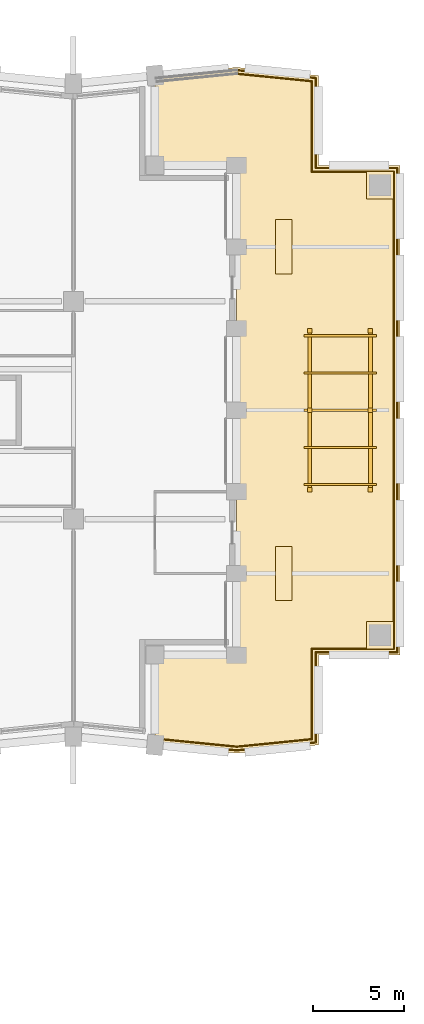
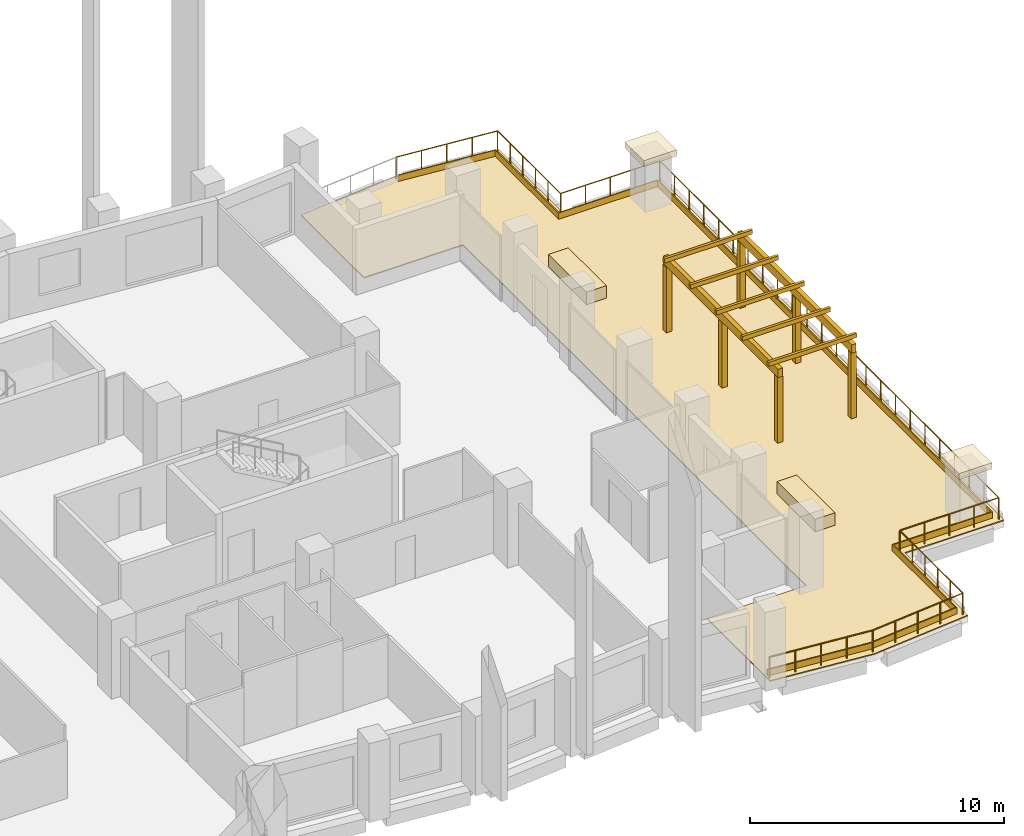
# One storey, part 18 of 18: 19 coverings, 1 railing.
"""IFC4 building model written with IfcOpenShell, lengths in metres."""

import ifcopenshell
import ifcopenshell.guid

model = None  # the IFC model being written
_history = None  # IfcOwnerHistory: only IFC2X3 demands one
_inside = {}  # id of a spatial element -> (the spatial element, [elements in it])
_under = {}  # id of a project, library or spatial element -> (it, [spatial elements below it])
_declared = {}  # id of a project -> (the project, [libraries it declares])
_typed = {}  # id of a type object -> (the type object, [elements of that type])
_made_of = {}  # id of a material, layer set ... -> (it, [elements and type objects made of it])


def new_model(schema):
    """Start an empty IFC model of exactly this schema.

    Asked for "IFC4X3", IfcOpenShell would pick the latest addendum, in which some entities
    have other attributes; the version numbers below select the first issue.
    IFC2X3 requires an IfcOwnerHistory on every rooted entity: one is made here for all.
    """
    global model, _history
    if schema == "IFC4X3":
        model = ifcopenshell.file(schema_version=(4, 3, 0, 0))
    else:
        model = ifcopenshell.file(schema=schema)
    _inside.clear()
    _under.clear()
    _declared.clear()
    _typed.clear()
    _made_of.clear()
    _history = None
    if model.schema == "IFC2X3":
        org = make("IfcOrganization", Name="unknown")
        user = make(
            "IfcPersonAndOrganization",
            ThePerson=make("IfcPerson", FamilyName="unknown"),
            TheOrganization=org,
        )
        app = make(
            "IfcApplication",
            ApplicationDeveloper=org,
            Version="unknown",
            ApplicationFullName="unknown",
            ApplicationIdentifier="unknown",
        )
        _history = make(
            "IfcOwnerHistory",
            OwningUser=user,
            OwningApplication=app,
            ChangeAction="ADDED",
            CreationDate=0,
        )
    return model


def make(cls, **values):
    """One entity of the class cls with the attributes given. An attribute that is None is left unset."""
    return model.create_entity(
        cls, **{name: value for name, value in values.items() if value is not None}
    )


def rooted(cls, **values):
    """An entity with a GlobalId (a new one), such as an element, a storey or a relation."""
    return make(cls, GlobalId=ifcopenshell.guid.new(), OwnerHistory=_history, **values)


def si_unit(unit_type, name, prefix=None):
    """IfcSIUnit, for example si_unit("LENGTHUNIT", "METRE", prefix="MILLI")."""
    return make("IfcSIUnit", UnitType=unit_type, Prefix=prefix, Name=name)


def assignment(units):
    """IfcUnitAssignment: the units of a project."""
    return None if units is None else make("IfcUnitAssignment", Units=units)


def point(xyz):
    """IfcCartesianPoint."""
    return None if xyz is None else make("IfcCartesianPoint", Coordinates=xyz)


def direction(xyz):
    """IfcDirection."""
    return None if xyz is None else make("IfcDirection", DirectionRatios=xyz)


def frame(location, z_axis=None, x_axis=None):
    """IfcAxis2Placement3D, a coordinate frame: its origin and axes. An axis left out is left unset."""
    return make(
        "IfcAxis2Placement3D",
        Location=point(location),
        Axis=direction(z_axis),
        RefDirection=direction(x_axis),
    )


def frame_2d(location, x_axis=None):
    """IfcAxis2Placement2D, a coordinate frame in the plane: its origin and x axis."""
    return make(
        "IfcAxis2Placement2D", Location=point(location), RefDirection=direction(x_axis)
    )


def origin():
    """The frame at (0, 0, 0) with its axes left unset."""
    return frame((0.0, 0.0, 0.0))


def origin_2d():
    """The frame at (0, 0) in the plane with its x axis left unset."""
    return frame_2d((0.0, 0.0))


def place(relative_to, where):
    """IfcLocalPlacement: puts the frame where relative to a parent placement (None: the world)."""
    return make(
        "IfcLocalPlacement", PlacementRelTo=relative_to, RelativePlacement=where
    )


def context(
    kind, dimensions, precision=None, world=None, true_north=None, identifier=None
):
    """IfcGeometricRepresentationContext, for example the 3D "Model" context."""
    return make(
        "IfcGeometricRepresentationContext",
        ContextIdentifier=identifier,
        ContextType=kind,
        CoordinateSpaceDimension=dimensions,
        Precision=precision,
        WorldCoordinateSystem=world,
        TrueNorth=true_north,
    )


def subcontext(parent, identifier, kind, view, scale=None):
    """IfcGeometricRepresentationSubContext, for example "Body" below "Model"."""
    return make(
        "IfcGeometricRepresentationSubContext",
        ContextIdentifier=identifier,
        ContextType=kind,
        ParentContext=parent,
        TargetScale=scale,
        TargetView=view,
    )


def project(units=None, contexts=None):
    """IfcProject with its units and contexts."""
    return rooted(
        "IfcProject",
        Name="project",
        RepresentationContexts=contexts,
        UnitsInContext=assignment(units),
    )


def spatial(cls, under=None, at=None, **own):
    """A site, building, storey or space (cls), placed at a placement, below another one or the project."""
    s = rooted(cls, ObjectPlacement=at, **own)
    if under is not None:
        _under.setdefault(under.id(), (under, []))[1].append(s)
    return s


def polyline(points):
    """IfcPolyline through the points."""
    return make("IfcPolyline", Points=[point(p) for p in points])


def profile(cls, at=None, kind="AREA", **sizes):
    """A parametric profile (cls). Its sizes go by their IFC names, for example OverallWidth=200.0."""
    return make(cls, ProfileType=kind, Position=at, **sizes)


def rectangle(**sizes):
    """IfcRectangleProfileDef."""
    return profile("IfcRectangleProfileDef", **sizes)


def circle(**sizes):
    """IfcCircleProfileDef."""
    return profile("IfcCircleProfileDef", **sizes)


def outline(outer, holes=None, kind="AREA"):
    """IfcArbitraryClosedProfileDef: a profile drawn as a closed curve; with holes, ...WithVoids."""
    if holes is None:
        return make("IfcArbitraryClosedProfileDef", ProfileType=kind, OuterCurve=outer)
    return make(
        "IfcArbitraryProfileDefWithVoids",
        ProfileType=kind,
        OuterCurve=outer,
        InnerCurves=holes,
    )


def extrude(swept, where, along, depth):
    """IfcExtrudedAreaSolid: the profile swept, set in the frame where, extruded along a direction by depth."""
    return make(
        "IfcExtrudedAreaSolid",
        SweptArea=swept,
        Position=where,
        ExtrudedDirection=direction(along),
        Depth=depth,
    )


def shape(context_of_items, identifier, shape_type, items):
    """IfcShapeRepresentation: the items that make up one representation, for example the "Body"."""
    return make(
        "IfcShapeRepresentation",
        ContextOfItems=context_of_items,
        RepresentationIdentifier=identifier,
        RepresentationType=shape_type,
        Items=items,
    )


def material(Name=None, Category=None):
    """IfcMaterial."""
    return make("IfcMaterial", Name=Name, Category=Category)


def layer(
    of_material, thickness, ventilated=None, Name=None, Category=None, Priority=None
):
    """IfcMaterialLayer: one layer of a wall or slab, of a material (None: an air gap)."""
    return make(
        "IfcMaterialLayer",
        Material=of_material,
        LayerThickness=thickness,
        IsVentilated=ventilated,
        Name=Name,
        Category=Category,
        Priority=Priority,
    )


def layer_set(layers, Name=None):
    """IfcMaterialLayerSet."""
    return make("IfcMaterialLayerSet", MaterialLayers=layers, LayerSetName=Name)


def material_profile(
    of_material, cross_section, Name=None, Category=None, Priority=None
):
    """IfcMaterialProfile: a cross section and its material."""
    return make(
        "IfcMaterialProfile",
        Name=Name,
        Material=of_material,
        Profile=cross_section,
        Priority=Priority,
        Category=Category,
    )


def profile_set(profiles, Name=None, composite=None):
    """IfcMaterialProfileSet."""
    return make(
        "IfcMaterialProfileSet",
        Name=Name,
        MaterialProfiles=profiles,
        CompositeProfile=composite,
    )


def made_of(thing, what):
    """Note that an element or type object is made of a material, layer set ...; save() writes the relation."""
    if what is not None:
        _made_of.setdefault(what.id(), (what, []))[1].append(thing)
    return thing


def type_object(cls, material=None, **own):
    """A type object (cls), such as IfcWallType, which elements share."""
    return made_of(rooted(cls, **own), material)


def element(
    cls,
    number,
    at=None,
    inside=None,
    cuts=None,
    type_object=None,
    material=None,
    context=None,
    identifier="Body",
    shape_type=None,
    held_by="IfcProductDefinitionShape",
    body=None,
    shapes=None,
    **own,
):
    """One element of the class cls, such as IfcWall. Its Tag is "e" and its number.

    at: its placement. inside: the storey or other place that contains it. cuts: it is an
    opening in that element (IfcRelVoidsElement). A single representation is given by context,
    identifier, shape_type and body (its items); several are given by shapes. held_by: the class
    of the entity that holds the representations. save() writes the other relations.
    """
    e = rooted(cls, Tag="e%d" % number, ObjectPlacement=at, **own)
    if body is not None:
        shapes = [shape(context, identifier, shape_type, body)]
    if shapes is not None:
        e.Representation = make(held_by, Representations=shapes)
    if inside is not None:
        _inside.setdefault(inside.id(), (inside, []))[1].append(e)
    if cuts is not None:
        rooted(
            "IfcRelVoidsElement", RelatingBuildingElement=cuts, RelatedOpeningElement=e
        )
    if type_object is not None:
        _typed.setdefault(type_object.id(), (type_object, []))[1].append(e)
    return made_of(e, material)


def aggregate(whole, parts):
    """IfcRelAggregates: a whole, such as a stair, and the parts it consists of."""
    return rooted("IfcRelAggregates", RelatingObject=whole, RelatedObjects=parts)


def save(model, path):
    """Write the relations noted so far, then the file.

    IfcRelAggregates (storeys below a building ...), IfcRelContainedInSpatialStructure (elements
    in a storey), IfcRelDefinesByType, IfcRelAssociatesMaterial and IfcRelDeclares: one each for
    every whole, place, type object, material and project.
    """
    for whole, parts in _under.values():
        aggregate(whole, parts)
    for where, things in _inside.values():
        rooted(
            "IfcRelContainedInSpatialStructure",
            RelatedElements=things,
            RelatingStructure=where,
        )
    for kind, things in _typed.values():
        rooted("IfcRelDefinesByType", RelatedObjects=things, RelatingType=kind)
    for what, things in _made_of.values():
        rooted("IfcRelAssociatesMaterial", RelatedObjects=things, RelatingMaterial=what)
    for by, libraries in _declared.values():
        rooted("IfcRelDeclares", RelatingContext=by, RelatedDefinitions=libraries)
    model.write(path)


model = new_model("IFC4")

# Units and contexts
model_context = context("Model", 3, precision=1e-05, world=origin(), true_north=direction((0.0, 1.0)))
body_context = subcontext(model_context, "Body", "Model", "MODEL_VIEW")
ifc_project = project(units=[si_unit("LENGTHUNIT", "METRE"), si_unit("AREAUNIT", "SQUARE_METRE"), si_unit("VOLUMEUNIT", "CUBIC_METRE"), si_unit("PLANEANGLEUNIT", "RADIAN"), si_unit("MASSUNIT", "GRAM", prefix="KILO")], contexts=[model_context])

# Site, building, storey
site_placement = place(None, origin())
site = spatial("IfcSite", under=ifc_project, at=site_placement, CompositionType="ELEMENT")
building_placement = place(site_placement, origin())
building = spatial("IfcBuilding", under=site, at=building_placement, Name="Brondeck Convention Tower", CompositionType="ELEMENT")
storey_placement = place(building_placement, frame((0.0, 0.0, 143.39990234375)))
storey = spatial("IfcBuildingStorey", under=building, at=storey_placement, Name="L34", CompositionType="ELEMENT", Elevation=143.39990234375)

# Railing
ifc_material_1 = material(Name="Steel S355, bronze painted", Category="steel")
railing_type = type_object("IfcRailingType", Name="Guard, bronze steel rail and posts", PredefinedType="GUARDRAIL", material=ifc_material_1)
railing_placement = place(storey_placement, frame((62.985107421875, 63.750732421875, 0.0)))
element("IfcRailing", 1, at=railing_placement, inside=storey, type_object=railing_type, Name="ENV-S1-2a-RL1", PredefinedType="GUARDRAIL", context=body_context, shape_type="SweptSolid", body=[
    extrude(circle(Radius=0.02490234375, at=origin_2d()), frame((0.0, 0.0, 1.0751953125), z_axis=(0.995036639166, -0.09950922931, 0.0), x_axis=(0.09950922931, 0.995036639166, 0.0)), (0.0, 0.0, 1.0), 4.38671875),
    extrude(circle(Radius=0.02490234375, at=origin_2d()), frame((4.364990234375, -0.4365234375, 1.0751953125), z_axis=(0.0, -1.0, 0.0), x_axis=(1.0, 0.0, 0.0)), (0.0, 0.0, 1.0), 4.964111328125),
    extrude(circle(Radius=0.02490234375, at=origin_2d()), frame((4.364990234375, -5.400634765625, 1.0751953125), z_axis=(1.0, 0.0, 0.0), x_axis=(0.0, 1.0, 0.0)), (0.0, 0.0, 1.0), 4.5),
    extrude(circle(Radius=0.02490234375, at=origin_2d()), frame((8.864990234375, -5.400634765625, 1.0751953125), z_axis=(0.0, -1.0, 0.0), x_axis=(1.0, 0.0, 0.0)), (0.0, 0.0, 1.0), 26.7001953125),
    extrude(circle(Radius=0.02490234375, at=origin_2d()), frame((8.864990234375, -32.100830078125, 1.0751953125), z_axis=(-1.0, 0.0, 0.0), x_axis=(0.0, -1.0, 0.0)), (0.0, 0.0, 1.0), 4.5),
    extrude(circle(Radius=0.02490234375, at=origin_2d()), frame((4.364990234375, -32.100830078125, 1.0751953125), z_axis=(0.0, -1.0, 0.0), x_axis=(1.0, 0.0, 0.0)), (0.0, 0.0, 1.0), 4.964111328125),
    extrude(circle(Radius=0.02490234375, at=origin_2d()), frame((4.364990234375, -37.06494140625, 1.0751953125), z_axis=(-0.995036084318, -0.099514777318, 0.0), x_axis=(0.099514777318, -0.995036084318, 0.0)), (0.0, 0.0, 1.0), 4.371826171875),
    extrude(circle(Radius=0.02490234375, at=origin_2d()), frame((0.014892578125, -37.5, 1.0751953125), z_axis=(-0.995035563198, 0.099519987798, 0.0), x_axis=(-0.099519987798, -0.995035563198, 0.0)), (0.0, 0.0, 1.0), 4.45751953125),
    extrude(circle(Radius=0.02490234375, at=origin_2d()), origin(), (0.0, 0.0, 1.0), 1.050048828125),
    extrude(circle(Radius=0.02490234375, at=origin_2d()), frame((1.09130859375, -0.109130859375, 0.0)), (0.0, 0.0, 1.0), 1.050048828125),
    extrude(circle(Radius=0.02490234375, at=origin_2d()), frame((2.1826171875, -0.21826171875, 0.0)), (0.0, 0.0, 1.0), 1.050048828125),
    extrude(circle(Radius=0.02490234375, at=origin_2d()), frame((3.273681640625, -0.327392578125, 0.0)), (0.0, 0.0, 1.0), 1.050048828125),
    extrude(circle(Radius=0.02490234375, at=origin_2d()), frame((4.364990234375, -0.4365234375, 0.0)), (0.0, 0.0, 1.0), 1.050048828125),
    extrude(circle(Radius=0.02490234375, at=origin_2d()), frame((4.364990234375, -1.429443359375, 0.0)), (0.0, 0.0, 1.0), 1.050048828125),
    extrude(circle(Radius=0.02490234375, at=origin_2d()), frame((4.364990234375, -2.422119140625, 0.0)), (0.0, 0.0, 1.0), 1.050048828125),
    extrude(circle(Radius=0.02490234375, at=origin_2d()), frame((4.364990234375, -3.4150390625, 0.0)), (0.0, 0.0, 1.0), 1.050048828125),
    extrude(circle(Radius=0.02490234375, at=origin_2d()), frame((4.364990234375, -4.40771484375, 0.0)), (0.0, 0.0, 1.0), 1.050048828125),
    extrude(circle(Radius=0.02490234375, at=origin_2d()), frame((4.364990234375, -5.400634765625, 0.0)), (0.0, 0.0, 1.0), 1.050048828125),
    extrude(circle(Radius=0.02490234375, at=origin_2d()), frame((5.489990234375, -5.400634765625, 0.0)), (0.0, 0.0, 1.0), 1.050048828125),
    extrude(circle(Radius=0.02490234375, at=origin_2d()), frame((6.614990234375, -5.400634765625, 0.0)), (0.0, 0.0, 1.0), 1.050048828125),
    extrude(circle(Radius=0.02490234375, at=origin_2d()), frame((7.739990234375, -5.400634765625, 0.0)), (0.0, 0.0, 1.0), 1.050048828125),
    extrude(circle(Radius=0.02490234375, at=origin_2d()), frame((8.864990234375, -5.400634765625, 0.0)), (0.0, 0.0, 1.0), 1.050048828125),
    extrude(circle(Radius=0.02490234375, at=origin_2d()), frame((8.864990234375, -6.5615234375, 0.0)), (0.0, 0.0, 1.0), 1.050048828125),
    extrude(circle(Radius=0.02490234375, at=origin_2d()), frame((8.864990234375, -7.722412109375, 0.0)), (0.0, 0.0, 1.0), 1.050048828125),
    extrude(circle(Radius=0.02490234375, at=origin_2d()), frame((8.864990234375, -8.88330078125, 0.0)), (0.0, 0.0, 1.0), 1.050048828125),
    extrude(circle(Radius=0.02490234375, at=origin_2d()), frame((8.864990234375, -10.044189453125, 0.0)), (0.0, 0.0, 1.0), 1.050048828125),
    extrude(circle(Radius=0.02490234375, at=origin_2d()), frame((8.864990234375, -11.205078125, 0.0)), (0.0, 0.0, 1.0), 1.050048828125),
    extrude(circle(Radius=0.02490234375, at=origin_2d()), frame((8.864990234375, -12.365966796875, 0.0)), (0.0, 0.0, 1.0), 1.050048828125),
    extrude(circle(Radius=0.02490234375, at=origin_2d()), frame((8.864990234375, -13.52685546875, 0.0)), (0.0, 0.0, 1.0), 1.050048828125),
    extrude(circle(Radius=0.02490234375, at=origin_2d()), frame((8.864990234375, -14.687744140625, 0.0)), (0.0, 0.0, 1.0), 1.050048828125),
    extrude(circle(Radius=0.02490234375, at=origin_2d()), frame((8.864990234375, -15.8486328125, 0.0)), (0.0, 0.0, 1.0), 1.050048828125),
    extrude(circle(Radius=0.02490234375, at=origin_2d()), frame((8.864990234375, -17.009521484375, 0.0)), (0.0, 0.0, 1.0), 1.050048828125),
    extrude(circle(Radius=0.02490234375, at=origin_2d()), frame((8.864990234375, -18.17041015625, 0.0)), (0.0, 0.0, 1.0), 1.050048828125),
    extrude(circle(Radius=0.02490234375, at=origin_2d()), frame((8.864990234375, -19.3310546875, 0.0)), (0.0, 0.0, 1.0), 1.050048828125),
    extrude(circle(Radius=0.02490234375, at=origin_2d()), frame((8.864990234375, -20.491943359375, 0.0)), (0.0, 0.0, 1.0), 1.050048828125),
    extrude(circle(Radius=0.02490234375, at=origin_2d()), frame((8.864990234375, -21.65283203125, 0.0)), (0.0, 0.0, 1.0), 1.050048828125),
    extrude(circle(Radius=0.02490234375, at=origin_2d()), frame((8.864990234375, -22.813720703125, 0.0)), (0.0, 0.0, 1.0), 1.050048828125),
    extrude(circle(Radius=0.02490234375, at=origin_2d()), frame((8.864990234375, -23.974609375, 0.0)), (0.0, 0.0, 1.0), 1.050048828125),
    extrude(circle(Radius=0.02490234375, at=origin_2d()), frame((8.864990234375, -25.135498046875, 0.0)), (0.0, 0.0, 1.0), 1.050048828125),
    extrude(circle(Radius=0.02490234375, at=origin_2d()), frame((8.864990234375, -26.29638671875, 0.0)), (0.0, 0.0, 1.0), 1.050048828125),
    extrude(circle(Radius=0.02490234375, at=origin_2d()), frame((8.864990234375, -27.457275390625, 0.0)), (0.0, 0.0, 1.0), 1.050048828125),
    extrude(circle(Radius=0.02490234375, at=origin_2d()), frame((8.864990234375, -28.6181640625, 0.0)), (0.0, 0.0, 1.0), 1.050048828125),
    extrude(circle(Radius=0.02490234375, at=origin_2d()), frame((8.864990234375, -29.779052734375, 0.0)), (0.0, 0.0, 1.0), 1.050048828125),
    extrude(circle(Radius=0.02490234375, at=origin_2d()), frame((8.864990234375, -30.93994140625, 0.0)), (0.0, 0.0, 1.0), 1.050048828125),
    extrude(circle(Radius=0.02490234375, at=origin_2d()), frame((8.864990234375, -32.100830078125, 0.0)), (0.0, 0.0, 1.0), 1.050048828125),
    extrude(circle(Radius=0.02490234375, at=origin_2d()), frame((7.739990234375, -32.100830078125, 0.0)), (0.0, 0.0, 1.0), 1.050048828125),
    extrude(circle(Radius=0.02490234375, at=origin_2d()), frame((6.614990234375, -32.100830078125, 0.0)), (0.0, 0.0, 1.0), 1.050048828125),
    extrude(circle(Radius=0.02490234375, at=origin_2d()), frame((5.489990234375, -32.100830078125, 0.0)), (0.0, 0.0, 1.0), 1.050048828125),
    extrude(circle(Radius=0.02490234375, at=origin_2d()), frame((4.364990234375, -32.100830078125, 0.0)), (0.0, 0.0, 1.0), 1.050048828125),
    extrude(circle(Radius=0.02490234375, at=origin_2d()), frame((4.364990234375, -33.09375, 0.0)), (0.0, 0.0, 1.0), 1.050048828125),
    extrude(circle(Radius=0.02490234375, at=origin_2d()), frame((4.364990234375, -34.08642578125, 0.0)), (0.0, 0.0, 1.0), 1.050048828125),
    extrude(circle(Radius=0.02490234375, at=origin_2d()), frame((4.364990234375, -35.079345703125, 0.0)), (0.0, 0.0, 1.0), 1.050048828125),
    extrude(circle(Radius=0.02490234375, at=origin_2d()), frame((4.364990234375, -36.072021484375, 0.0)), (0.0, 0.0, 1.0), 1.050048828125),
    extrude(circle(Radius=0.02490234375, at=origin_2d()), frame((4.364990234375, -37.06494140625, 0.0)), (0.0, 0.0, 1.0), 1.050048828125),
    extrude(circle(Radius=0.02490234375, at=origin_2d()), frame((3.27734375, -37.173828125, 0.0)), (0.0, 0.0, 1.0), 1.050048828125),
    extrude(circle(Radius=0.02490234375, at=origin_2d()), frame((2.18994140625, -37.282470703125, 0.0)), (0.0, 0.0, 1.0), 1.050048828125),
    extrude(circle(Radius=0.02490234375, at=origin_2d()), frame((1.1025390625, -37.39111328125, 0.0)), (0.0, 0.0, 1.0), 1.050048828125),
    extrude(circle(Radius=0.02490234375, at=origin_2d()), frame((0.014892578125, -37.5, 0.0)), (0.0, 0.0, 1.0), 1.050048828125),
    extrude(circle(Radius=0.02490234375, at=origin_2d()), frame((-1.093994140625, -37.38916015625, 0.0)), (0.0, 0.0, 1.0), 1.050048828125),
    extrude(circle(Radius=0.02490234375, at=origin_2d()), frame((-2.20263671875, -37.2783203125, 0.0)), (0.0, 0.0, 1.0), 1.050048828125),
    extrude(circle(Radius=0.02490234375, at=origin_2d()), frame((-3.3115234375, -37.167236328125, 0.0)), (0.0, 0.0, 1.0), 1.050048828125),
    extrude(circle(Radius=0.02490234375, at=origin_2d()), frame((-4.42041015625, -37.056396484375, 0.0)), (0.0, 0.0, 1.0), 1.050048828125),
])

# Coverings
ifc_material_profile_1 = material_profile(ifc_material_1, rectangle(XDim=0.199951171875, YDim=0.39990234375, at=origin_2d()), Name="Pergola girder 200 x 400 bronze steel")
ifc_profile_set_1 = profile_set([ifc_material_profile_1], Name="Steel S355, bronze painted")
covering_type_1 = type_object("IfcCoveringType", Name="Pergola girder 200 x 400 bronze steel", PredefinedType="MOLDING", material=ifc_profile_set_1)
for number, where, z_axis, x_axis, name in (
    (2, (67.02490234375, 40.5, 3.400146484375), (0.0, 1.0, 0.0), (-1.0, 0.0, 0.0), "ENV-FT-S1-PG-G1"),
    (3, (70.375, 40.5, 3.400146484375), (0.0, 1.0, 0.0), (-1.0, 0.0, 0.0), "ENV-FT-S1-PG-G2"),
):
    element("IfcCovering", number, at=place(storey_placement, frame(where, z_axis=z_axis, x_axis=x_axis)), inside=storey, type_object=covering_type_1, Name=name, PredefinedType="MOLDING", context=body_context, shape_type="SweptSolid", body=[
        extrude(rectangle(XDim=0.199951171875, YDim=0.39990234375, at=origin_2d()), origin(), (0.0, 0.0, 1.0), 9.0),
    ])
ifc_material_profile_2 = material_profile(ifc_material_1, rectangle(XDim=0.25, YDim=0.25, at=origin_2d()), Name="Pergola post 250 x 250 bronze steel")
ifc_profile_set_2 = profile_set([ifc_material_profile_2], Name="Steel S355, bronze painted")
covering_type_2 = type_object("IfcCoveringType", Name="Pergola post 250 x 250 bronze steel", PredefinedType="MOLDING", material=ifc_profile_set_2)
for number, where, z_axis, x_axis, name in (
    (4, (67.02490234375, 40.625, 0.0), (0.0, 0.0, 1.0), (1.0, 0.0, 0.0), "ENV-FT-S1-PG-P1"),
    (5, (67.02490234375, 45.0, 0.0), (0.0, 0.0, 1.0), (1.0, 0.0, 0.0), "ENV-FT-S1-PG-P2"),
    (6, (67.02490234375, 49.375, 0.0), (0.0, 0.0, 1.0), (1.0, 0.0, 0.0), "ENV-FT-S1-PG-P3"),
    (7, (70.375, 40.625, 0.0), (0.0, 0.0, 1.0), (1.0, 0.0, 0.0), "ENV-FT-S1-PG-P4"),
    (8, (70.375, 45.0, 0.0), (0.0, 0.0, 1.0), (1.0, 0.0, 0.0), "ENV-FT-S1-PG-P5"),
    (9, (70.375, 49.375, 0.0), (0.0, 0.0, 1.0), (1.0, 0.0, 0.0), "ENV-FT-S1-PG-P6"),
):
    element("IfcCovering", number, at=place(storey_placement, frame(where, z_axis=z_axis, x_axis=x_axis)), inside=storey, type_object=covering_type_2, Name=name, PredefinedType="MOLDING", context=body_context, shape_type="SweptSolid", body=[
        extrude(rectangle(XDim=0.25, YDim=0.25, at=origin_2d()), origin(), (0.0, 0.0, 1.0), 3.2001953125),
    ])
ifc_material_profile_3 = material_profile(ifc_material_1, rectangle(XDim=0.1201171875, YDim=0.199951171875, at=origin_2d()), Name="Pergola rafter 120 x 200 bronze steel")
ifc_profile_set_3 = profile_set([ifc_material_profile_3], Name="Steel S355, bronze painted")
covering_type_3 = type_object("IfcCoveringType", Name="Pergola rafter 120 x 200 bronze steel", PredefinedType="MOLDING", material=ifc_profile_set_3)
for number, where, z_axis, x_axis, name in (
    (10, (66.699951171875, 40.89990234375, 3.7001953125), (1.0, 0.0, 0.0), (0.0, 1.0, 0.0), "ENV-FT-S1-PG-R1"),
    (11, (66.699951171875, 42.949951171875, 3.7001953125), (1.0, 0.0, 0.0), (0.0, 1.0, 0.0), "ENV-FT-S1-PG-R2"),
    (12, (66.699951171875, 45.0, 3.7001953125), (1.0, 0.0, 0.0), (0.0, 1.0, 0.0), "ENV-FT-S1-PG-R3"),
    (13, (66.699951171875, 47.050048828125, 3.7001953125), (1.0, 0.0, 0.0), (0.0, 1.0, 0.0), "ENV-FT-S1-PG-R4"),
    (14, (66.699951171875, 49.10009765625, 3.7001953125), (1.0, 0.0, 0.0), (0.0, 1.0, 0.0), "ENV-FT-S1-PG-R5"),
):
    element("IfcCovering", number, at=place(storey_placement, frame(where, z_axis=z_axis, x_axis=x_axis)), inside=storey, type_object=covering_type_3, Name=name, PredefinedType="MOLDING", context=body_context, shape_type="SweptSolid", body=[
        extrude(rectangle(XDim=0.1201171875, YDim=0.199951171875, at=origin_2d()), origin(), (0.0, 0.0, 1.0), 4.0),
    ])
ifc_material_2 = material(Name="Aluminium, bronze anodised planter with soil", Category="aluminium")
ifc_layer_1 = layer(ifc_material_2, 0.199951171875)
ifc_layer_set_1 = layer_set([ifc_layer_1], Name="Roof planter")
covering_type_4 = type_object("IfcCoveringType", Name="Roof planter", PredefinedType="USERDEFINED", material=ifc_layer_set_1)
for number, where, z_axis, x_axis, name in (
    (15, (65.60009765625, 36.0, 0.050048828125), (0.0, 0.0, 1.0), (0.0, 1.0, 0.0), "ENV-S1-2-PL01"),
    (16, (65.60009765625, 54.0, 0.050048828125), (0.0, 0.0, 1.0), (0.0, 1.0, 0.0), "ENV-S1-2-PL02"),
):
    element("IfcCovering", number, at=place(storey_placement, frame(where, z_axis=z_axis, x_axis=x_axis)), inside=storey, type_object=covering_type_4, Name=name, ObjectType="PLANTER", PredefinedType="USERDEFINED", context=body_context, shape_type="SweptSolid", body=[
        extrude(rectangle(XDim=3.0, YDim=0.89990234375, at=origin_2d()), origin(), (0.0, 0.0, 1.0), 0.60009765625),
    ])
ifc_material_3 = material(Name="Aluminium, bronze anodised", Category="aluminium")
ifc_layer_2 = layer(ifc_material_3, 0.050048828125)
ifc_layer_set_2 = layer_set([ifc_layer_2], Name="Snow retention bar")
covering_type_5 = type_object("IfcCoveringType", Name="Snow retention bar", PredefinedType="MOLDING", material=ifc_layer_set_2)
covering_1_placement = place(storey_placement, frame((0.0, 0.0, 0.050048828125)))
element("IfcCovering", 17, at=covering_1_placement, inside=storey, type_object=covering_type_5, Name="ENV-S1-2a-SR1", PredefinedType="MOLDING", context=body_context, shape_type="SweptSolid", body=[
    extrude(outline(polyline([(67.175048828125, 63.156005859375), (62.9677734375, 63.57666015625), (62.962646484375, 63.52685546875), (67.125, 63.110595703125), (67.125, 58.125), (71.625, 58.125), (71.625, 31.875), (67.125, 31.875), (67.125, 26.889404296875), (63.0, 26.476806640625), (58.5869140625, 26.918212890625), (58.58203125, 26.868408203125), (63.0, 26.426513671875), (67.175048828125, 26.843994140625), (67.175048828125, 31.824951171875), (71.675048828125, 31.824951171875), (71.675048828125, 58.175048828125), (67.175048828125, 58.175048828125), (67.175048828125, 63.156005859375)])), origin(), (0.0, 0.0, 1.0), 0.300048828125),
])
ifc_material_4 = material(Name="Precast concrete C50/60 bronze finish", Category="concrete")
ifc_layer_3 = layer(ifc_material_4, 1.5)
ifc_layer_set_3 = layer_set([ifc_layer_3], Name="Terrace finial cap, precast")
covering_type_6 = type_object("IfcCoveringType", Name="Terrace finial cap, precast", PredefinedType="MOLDING", material=ifc_layer_set_3)
covering_2_placement = place(storey_placement, frame((0.0, 0.0, 2.400146484375)))
element("IfcCovering", 18, at=covering_2_placement, inside=storey, type_object=covering_type_6, Name="ENV-FT-S1-2-1-C", PredefinedType="MOLDING", context=body_context, shape_type="SweptSolid", body=[
    extrude(outline(polyline([(71.64990234375, 31.85009765625), (71.64990234375, 33.35009765625), (70.14990234375, 33.35009765625), (70.14990234375, 31.85009765625), (71.64990234375, 31.85009765625)])), origin(), (0.0, 0.0, 1.0), 0.300048828125),
])
covering_3_placement = place(storey_placement, frame((0.0, 0.0, 2.400146484375)))
element("IfcCovering", 19, at=covering_3_placement, inside=storey, type_object=covering_type_6, Name="ENV-FT-S1-2-2-C", PredefinedType="MOLDING", context=body_context, shape_type="SweptSolid", body=[
    extrude(outline(polyline([(71.64990234375, 56.64990234375), (71.64990234375, 58.14990234375), (70.14990234375, 58.14990234375), (70.14990234375, 56.64990234375), (71.64990234375, 56.64990234375)])), origin(), (0.0, 0.0, 1.0), 0.300048828125),
])
ifc_material_5 = material(Name="Granite paving", Category="masonry")
ifc_layer_4 = layer(ifc_material_5, 0.050048828125)
ifc_layer_set_4 = layer_set([ifc_layer_4], Name="Terrace paving")
covering_type_7 = type_object("IfcCoveringType", Name="Terrace paving", PredefinedType="FLOORING", material=ifc_layer_set_4)
covering_4_placement = place(storey_placement, origin())
element("IfcCovering", 20, at=covering_4_placement, inside=storey, type_object=covering_type_7, Name="ENV-S1-2-PV1", PredefinedType="FLOORING", context=body_context, shape_type="SweptSolid", body=[
    extrude(outline(polyline([(63.0, 63.89990234375), (58.5, 63.449951171875), (58.5, 58.5), (63.0, 58.5), (63.0, 31.5), (58.5, 31.5), (58.5, 26.550048828125), (63.0, 26.10009765625), (67.5, 26.550048828125), (67.5, 31.5), (72.0, 31.5), (72.0, 58.5), (67.5, 58.5), (67.5, 63.449951171875), (63.0, 63.89990234375)])), origin(), (0.0, 0.0, 1.0), 0.050048828125),
])

save(model, "model.ifc")
